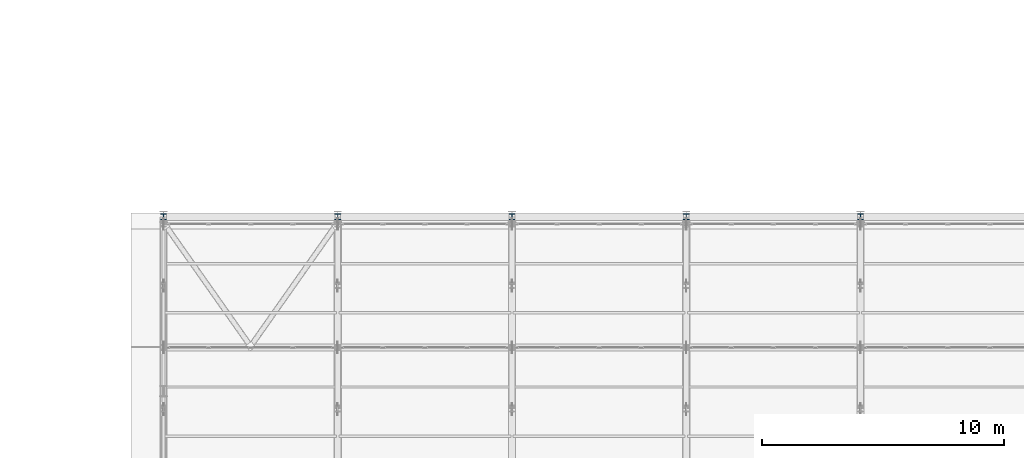
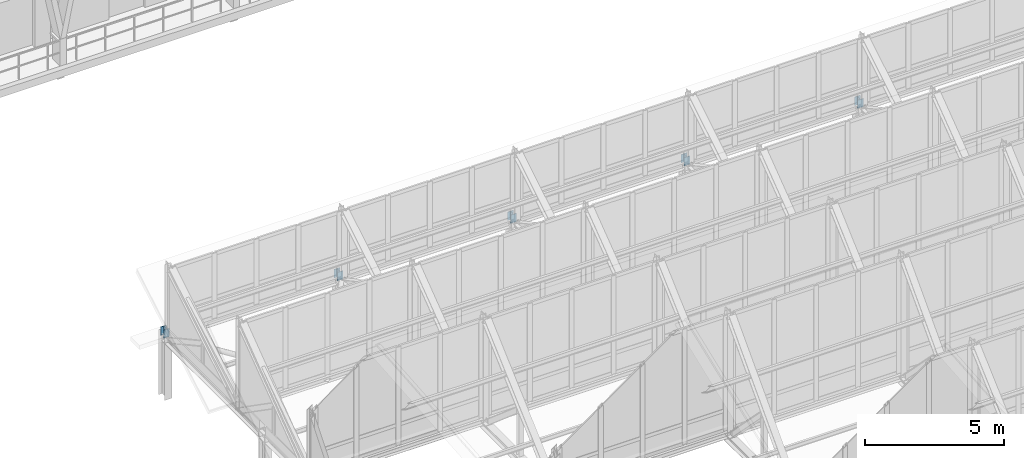
# One storey, part 95 of 157: 5 members.
"""IFC4 building model written with IfcOpenShell, lengths in metres."""

from ifc_helpers import new_model, si_unit, direction, frame, origin, origin_2d, place, context, subcontext, project, spatial, i_section, extrude, material, material_profile, profile_set, type_object, element, save


model = new_model("IFC4")

# Units and contexts
model_context = context("Model", 3, precision=1e-05, world=origin(), true_north=direction((0.0, 1.0)))
body_context = subcontext(model_context, "Body", "Model", "MODEL_VIEW")
ifc_project = project(units=[si_unit("LENGTHUNIT", "METRE"), si_unit("AREAUNIT", "SQUARE_METRE"), si_unit("VOLUMEUNIT", "CUBIC_METRE"), si_unit("PLANEANGLEUNIT", "RADIAN"), si_unit("MASSUNIT", "GRAM", prefix="KILO")], contexts=[model_context])

# Site, building, storey
site_placement = place(None, origin())
site = spatial("IfcSite", under=ifc_project, at=site_placement, CompositionType="ELEMENT")
building_placement = place(site_placement, origin())
building = spatial("IfcBuilding", under=site, at=building_placement, Name="Suanplinth Sawtooth Commons", CompositionType="ELEMENT")
storey_placement = place(building_placement, frame((0.0, 0.0, 9.0)))
storey = spatial("IfcBuildingStorey", under=building, at=storey_placement, Name="L02", CompositionType="ELEMENT", Elevation=9.0)

# Members
ifc_material = material(Name="Steel S355JR", Category="steel")
ifc_material_profile = material_profile(ifc_material, i_section(OverallWidth=0.239990234375, OverallDepth=0.239990234375, WebThickness=0.010009765625, FlangeThickness=0.01708984375, at=origin_2d()), Name="HEB 240")
ifc_profile_set = profile_set([ifc_material_profile], Name="Steel S355JR")
member_type = type_object("IfcMemberType", Name="M-05", PredefinedType="POST", material=ifc_profile_set)
for number, where, z_axis, x_axis, name in (
    (1, (64.800048828125, 86.39990234375, 2.64990234375), (0.0, 0.0, 1.0), (1.0, 0.0, 0.0), "Sawtooth Truss T1 North Eave Post"),
    (2, (72.0, 86.39990234375, 2.64990234375), (0.0, 0.0, 1.0), (1.0, 0.0, 0.0), "Sawtooth Truss T2 North Eave Post"),
    (3, (79.199951171875, 86.39990234375, 2.64990234375), (0.0, 0.0, 1.0), (1.0, 0.0, 0.0), "Sawtooth Truss T3 North Eave Post"),
    (4, (86.39990234375, 86.39990234375, 2.64990234375), (0.0, 0.0, 1.0), (1.0, 0.0, 0.0), "Sawtooth Truss T4 North Eave Post"),
    (5, (93.60009765625, 86.39990234375, 2.64990234375), (0.0, 0.0, 1.0), (1.0, 0.0, 0.0), "Sawtooth Truss T5 North Eave Post"),
):
    element("IfcMember", number, at=place(storey_placement, frame(where, z_axis=z_axis, x_axis=x_axis)), inside=storey, type_object=member_type, Name=name, PredefinedType="POST", context=body_context, shape_type="SweptSolid", body=[
        extrude(i_section(OverallWidth=0.239990234375, OverallDepth=0.239990234375, WebThickness=0.010009765625, FlangeThickness=0.01708984375, at=origin_2d()), origin(), (0.0, 0.0, 1.0), 0.3701171875),
    ])

save(model, "model.ifc")
